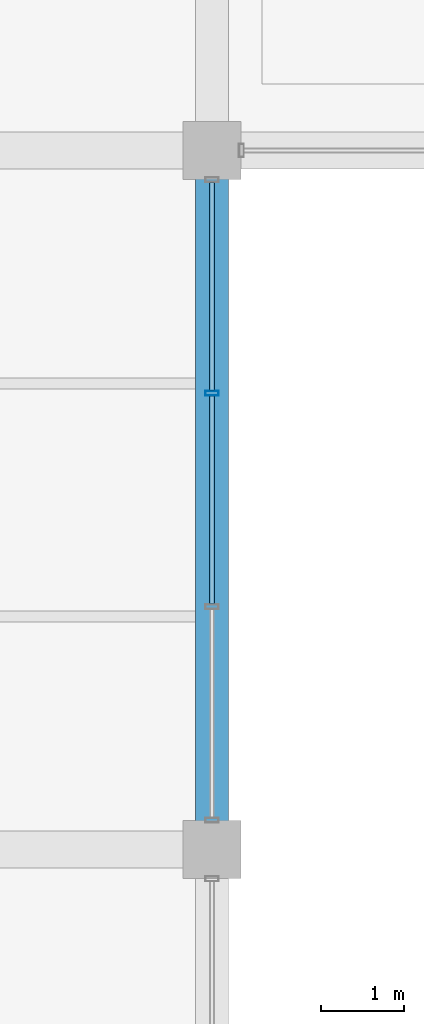
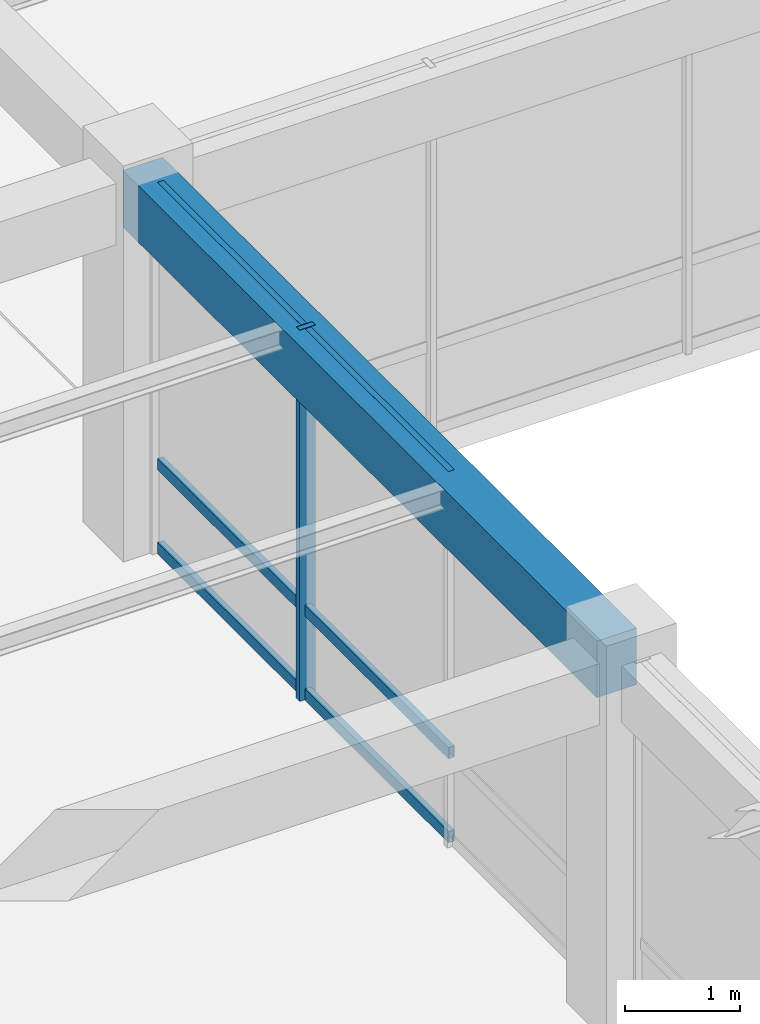
# One storey, part 11 of 152: 7 members, 1 beam, 1 element without a shape of its own.
"""IFC4 building model written with IfcOpenShell, lengths in metres."""

from ifc_helpers import new_model, si_unit, direction, frame, origin, origin_2d, place, context, subcontext, project, spatial, rectangle, hollow_rectangle, extrude, material, material_profile, profile_set, type_object, element, aggregate, save


model = new_model("IFC4")

# Units and contexts
model_context = context("Model", 3, precision=1e-05, world=origin(), true_north=direction((0.0, 1.0)))
body_context = subcontext(model_context, "Body", "Model", "MODEL_VIEW")
ifc_project = project(units=[si_unit("LENGTHUNIT", "METRE"), si_unit("AREAUNIT", "SQUARE_METRE"), si_unit("VOLUMEUNIT", "CUBIC_METRE"), si_unit("PLANEANGLEUNIT", "RADIAN"), si_unit("MASSUNIT", "GRAM", prefix="KILO"), si_unit("THERMODYNAMICTEMPERATUREUNIT", "KELVIN"), si_unit("POWERUNIT", "WATT")], contexts=[model_context])

# Site, building, storey
site_placement = place(None, origin())
site = spatial("IfcSite", under=ifc_project, at=site_placement, CompositionType="ELEMENT")
building_placement = place(site_placement, origin())
building = spatial("IfcBuilding", under=site, at=building_placement, Name="Darbajah Civic Hall", CompositionType="ELEMENT")
storey_placement = place(building_placement, frame((0.0, 0.0, 5.39990234375)))
storey = spatial("IfcBuildingStorey", under=building, at=storey_placement, Name="L01", CompositionType="ELEMENT", Elevation=5.39990234375)

# Curtain wall, members
ifc_material_1 = material(Name="Anodised Bronze Aluminium and Low-E Glazing", Category="aluminium")
curtain_wall_type = type_object("IfcCurtainWallType", Name="Unitised Curtain Wall CW-99 7700x3950", PredefinedType="USERDEFINED", material=ifc_material_1)
curtain_wall_placement = place(storey_placement, origin())
curtain_wall = element("IfcCurtainWall", 1, at=curtain_wall_placement, inside=storey, type_object=curtain_wall_type, Name="L01 unitised curtain wall CW-V5-L01-S1-B1", ObjectType="UNITISED CURTAIN WALL", PredefinedType="USERDEFINED")
ifc_material_2 = material(Name="Anodised Bronze Aluminium", Category="aluminium")
ifc_material_profile_1 = material_profile(ifc_material_2, hollow_rectangle(XDim=0.06005859375, YDim=0.159912109375, WallThickness=0.00341796875, at=origin_2d()), Name="ALU MULLION 60x160")
ifc_profile_set_1 = profile_set([ifc_material_profile_1], Name="Anodised Bronze Aluminium")
member_type_1 = type_object("IfcMemberType", Name="ALU MULLION 60x160", PredefinedType="MULLION", material=ifc_profile_set_1)
member_1_placement = place(storey_placement, frame((16.800048828125, 13.8828125, 0.0), z_axis=(0.0, 0.0, 1.0), x_axis=(0.0, 1.0, 0.0)))
member_1 = element("IfcMember", 2, at=member_1_placement, type_object=member_type_1, Name="CW-V5-L01-S1-B1 mullion 3", PredefinedType="MULLION", context=body_context, shape_type="SweptSolid", body=[
    extrude(hollow_rectangle(XDim=0.06005859375, YDim=0.159912109375, WallThickness=0.00341796875, at=origin_2d()), origin(), (0.0, 0.0, 1.0), 3.940185546875),
])
ifc_material_profile_2 = material_profile(ifc_material_2, hollow_rectangle(XDim=0.06005859375, YDim=0.1201171875, WallThickness=0.003173828125, at=origin_2d()), Name="ALU TRANSOM 60x120")
ifc_profile_set_2 = profile_set([ifc_material_profile_2], Name="Anodised Bronze Aluminium")
member_type_2 = type_object("IfcMemberType", Name="ALU TRANSOM 60x120", PredefinedType="USERDEFINED", material=ifc_profile_set_2)
member_2_placement = place(storey_placement, frame((16.800048828125, 11.352294921875, 0.06005859375), z_axis=(0.0, 1.0, 0.0), x_axis=(-1.0, 0.0, 0.0)))
member_2 = element("IfcMember", 3, at=member_2_placement, type_object=member_type_2, Name="CW-V5-L01-S1-B1 transom 2.1", ObjectType="TRANSOM", PredefinedType="USERDEFINED", context=body_context, shape_type="SweptSolid", body=[
    extrude(hollow_rectangle(XDim=0.06005859375, YDim=0.1201171875, WallThickness=0.003173828125, at=origin_2d()), origin(), (0.0, 0.0, 1.0), 2.495361328125),
])
member_3_placement = place(storey_placement, frame((16.800048828125, 11.352294921875, 0.9501953125), z_axis=(0.0, 1.0, 0.0), x_axis=(-1.0, 0.0, 0.0)))
member_3 = element("IfcMember", 4, at=member_3_placement, type_object=member_type_2, Name="CW-V5-L01-S1-B1 transom 2.2", ObjectType="TRANSOM", PredefinedType="USERDEFINED", context=body_context, shape_type="SweptSolid", body=[
    extrude(hollow_rectangle(XDim=0.06005859375, YDim=0.1201171875, WallThickness=0.003173828125, at=origin_2d()), origin(), (0.0, 0.0, 1.0), 2.495361328125),
])
member_4_placement = place(storey_placement, frame((16.800048828125, 11.352294921875, 3.880126953125), z_axis=(0.0, 1.0, 0.0), x_axis=(-1.0, 0.0, 0.0)))
member_4 = element("IfcMember", 5, at=member_4_placement, type_object=member_type_2, Name="CW-V5-L01-S1-B1 transom 2.3", ObjectType="TRANSOM", PredefinedType="USERDEFINED", context=body_context, shape_type="SweptSolid", body=[
    extrude(hollow_rectangle(XDim=0.06005859375, YDim=0.1201171875, WallThickness=0.003173828125, at=origin_2d()), origin(), (0.0, 0.0, 1.0), 2.495361328125),
])
member_5_placement = place(storey_placement, frame((16.800048828125, 13.917724609375, 0.06005859375), z_axis=(0.0, 1.0, 0.0), x_axis=(-1.0, 0.0, 0.0)))
member_5 = element("IfcMember", 6, at=member_5_placement, type_object=member_type_2, Name="CW-V5-L01-S1-B1 transom 3.1", ObjectType="TRANSOM", PredefinedType="USERDEFINED", context=body_context, shape_type="SweptSolid", body=[
    extrude(hollow_rectangle(XDim=0.06005859375, YDim=0.1201171875, WallThickness=0.003173828125, at=origin_2d()), origin(), (0.0, 0.0, 1.0), 2.495361328125),
])
member_6_placement = place(storey_placement, frame((16.800048828125, 13.917724609375, 0.9501953125), z_axis=(0.0, 1.0, 0.0), x_axis=(-1.0, 0.0, 0.0)))
member_6 = element("IfcMember", 7, at=member_6_placement, type_object=member_type_2, Name="CW-V5-L01-S1-B1 transom 3.2", ObjectType="TRANSOM", PredefinedType="USERDEFINED", context=body_context, shape_type="SweptSolid", body=[
    extrude(hollow_rectangle(XDim=0.06005859375, YDim=0.1201171875, WallThickness=0.003173828125, at=origin_2d()), origin(), (0.0, 0.0, 1.0), 2.495361328125),
])
member_7_placement = place(storey_placement, frame((16.800048828125, 13.917724609375, 3.880126953125), z_axis=(0.0, 1.0, 0.0), x_axis=(-1.0, 0.0, 0.0)))
member_7 = element("IfcMember", 8, at=member_7_placement, type_object=member_type_2, Name="CW-V5-L01-S1-B1 transom 3.3", ObjectType="TRANSOM", PredefinedType="USERDEFINED", context=body_context, shape_type="SweptSolid", body=[
    extrude(hollow_rectangle(XDim=0.06005859375, YDim=0.1201171875, WallThickness=0.003173828125, at=origin_2d()), origin(), (0.0, 0.0, 1.0), 2.495361328125),
])
aggregate(curtain_wall, [member_1, member_2, member_3, member_4, member_5, member_6, member_7])

# Beam
ifc_material_3 = material(Name="Concrete C45/55", Category="concrete")
ifc_material_profile_3 = material_profile(ifc_material_3, rectangle(XDim=0.39990234375, YDim=0.60009765625, at=origin_2d()), Name="RC BEAM 400x600")
ifc_profile_set_3 = profile_set([ifc_material_profile_3], Name="Concrete C45/55")
beam_type = type_object("IfcBeamType", Name="RC BEAM 400x600", PredefinedType="BEAM", material=ifc_profile_set_3)
beam_placement = place(storey_placement, frame((16.800048828125, 8.47998046875, 3.64013671875), z_axis=(0.0, 1.0, 0.0), x_axis=(-1.0, 0.0, 0.0)))
element("IfcBeam", 9, at=beam_placement, inside=storey, type_object=beam_type, Name="L01 beam BM-4060", PredefinedType="BEAM", context=body_context, shape_type="SweptSolid", body=[
    extrude(rectangle(XDim=0.39990234375, YDim=0.60009765625, at=origin_2d()), origin(), (0.0, 0.0, 1.0), 8.239990234375),
])

save(model, "model.ifc")
